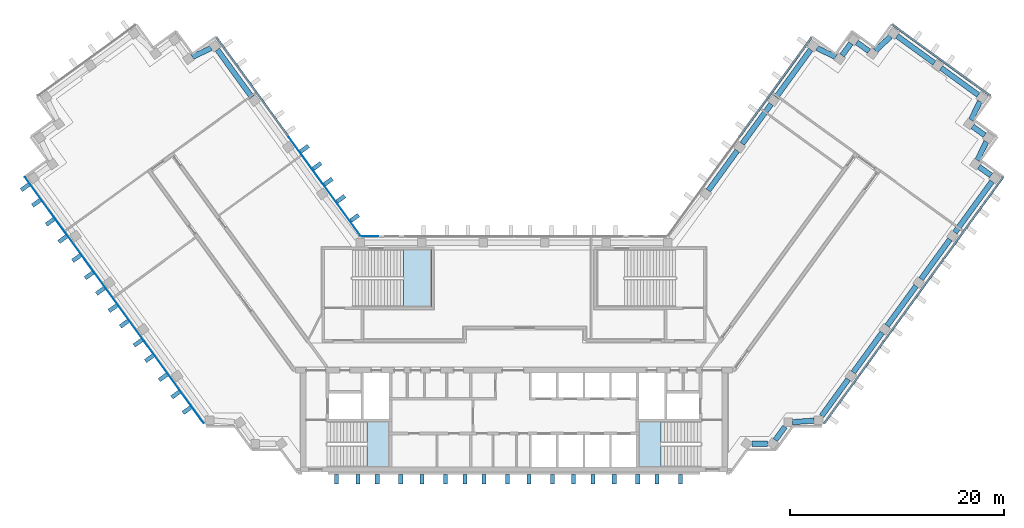
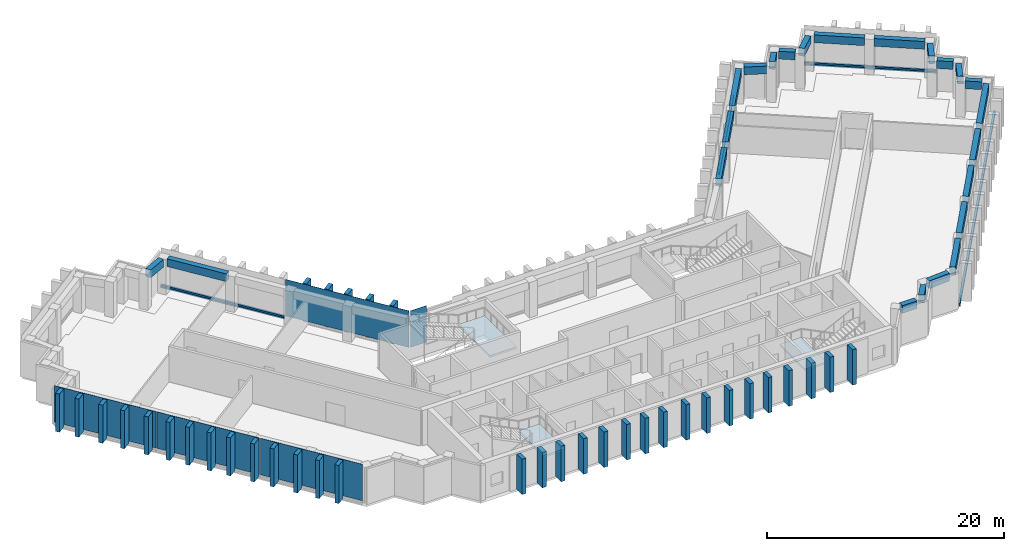
"""IFC4 building model written with IfcOpenShell, lengths in metres."""

from ifc_helpers import new_model, si_unit, direction, frame, origin, origin_2d, place, context, subcontext, project, spatial, polyline, rectangle, outline, extrude, material, layer, layer_set, material_profile, profile_set, type_object, element, aggregate, save


model = new_model("IFC4")

# Units and contexts
model_context = context("Model", 3, precision=1e-05, world=origin(), true_north=direction((0.0, 1.0)))
body_context = subcontext(model_context, "Body", "Model", "MODEL_VIEW")
ifc_project = project(units=[si_unit("LENGTHUNIT", "METRE"), si_unit("AREAUNIT", "SQUARE_METRE"), si_unit("VOLUMEUNIT", "CUBIC_METRE"), si_unit("PLANEANGLEUNIT", "RADIAN"), si_unit("MASSUNIT", "GRAM", prefix="KILO")], contexts=[model_context])

# Site, building, storey
site_placement = place(None, origin())
site = spatial("IfcSite", under=ifc_project, at=site_placement, CompositionType="ELEMENT")
building_placement = place(site_placement, origin())
building = spatial("IfcBuilding", under=site, at=building_placement, Name="Quipu Civic Tower", CompositionType="ELEMENT")
storey_1_placement = place(building_placement, frame((0.0, 0.0, 180.0)))
storey_1 = spatial("IfcBuildingStorey", under=building, at=storey_1_placement, Name="L42", CompositionType="ELEMENT", Elevation=180.0)

# Beams
ifc_material_1 = material(Name="Concrete C50/60", Category="concrete")
ifc_material_profile_1 = material_profile(ifc_material_1, rectangle(XDim=0.5, YDim=0.800048828125, at=origin_2d()), Name="RC500x800")
ifc_profile_set_1 = profile_set([ifc_material_profile_1], Name="Concrete C50/60")
beam_type = type_object("IfcBeamType", Name="Spandrel beam RC 500x800 C50/60", PredefinedType="SPANDREL", material=ifc_profile_set_1)
beam_1_placement = place(storey_1_placement, frame((-24.556396484375, 24.13623046875, 3.25), z_axis=(-0.587664254196, 0.809104890815, 0.0), x_axis=(-0.809104890815, -0.587664254196, 0.0)))
element("IfcBeam", 1, at=beam_1_placement, inside=storey_1, type_object=beam_type, Name="Spandrel beam L42 W-IN-03 to T-Wi.0-W34", PredefinedType="SPANDREL", context=body_context, shape_type="SweptSolid", body=[
    extrude(rectangle(XDim=0.5, YDim=0.800048828125, at=origin_2d()), origin(), (0.0, 0.0, 1.0), 5.493896484375),
])
beam_2_placement = place(storey_1_placement, frame((-28.38720703125, 28.72998046875, 3.25), z_axis=(-0.902584802379, -0.430512107279, 0.0), x_axis=(0.430512107279, -0.902584802379, 0.0)))
element("IfcBeam", 2, at=beam_2_placement, inside=storey_1, type_object=beam_type, Name="Spandrel beam L42 T-Wi.0-W34 to T-Wi.1-W34", PredefinedType="SPANDREL", context=body_context, shape_type="SweptSolid", body=[
    extrude(rectangle(XDim=0.5, YDim=0.800048828125, at=origin_2d()), origin(), (0.0, 0.0, 1.0), 1.9326171875),
])
beam_3_placement = place(storey_1_placement, frame((22.2861328125, -8.31494140625, 3.25), z_axis=(1.0, 0.0, 0.0), x_axis=(0.0, 1.0, 0.0)))
element("IfcBeam", 3, at=beam_3_placement, inside=storey_1, type_object=beam_type, Name="Spandrel beam L42 J-Eo.1 to J-Eo.2", PredefinedType="SPANDREL", context=body_context, shape_type="SweptSolid", body=[
    extrude(rectangle(XDim=0.5, YDim=0.800048828125, at=origin_2d()), origin(), (0.0, 0.0, 1.0), 1.454345703125),
])
beam_4_placement = place(storey_1_placement, frame((24.470458984375, -7.991455078125, 3.25), z_axis=(0.588405601119, 0.808565920981, 0.0), x_axis=(-0.808565920981, 0.588405601119, 0.0)))
element("IfcBeam", 4, at=beam_4_placement, inside=storey_1, type_object=beam_type, Name="Spandrel beam L42 J-Eo.2 to J-Eo.3", PredefinedType="SPANDREL", context=body_context, shape_type="SweptSolid", body=[
    extrude(rectangle(XDim=0.5, YDim=0.800048828125, at=origin_2d()), origin(), (0.0, 0.0, 1.0), 1.55126953125),
])
beam_5_placement = place(storey_1_placement, frame((26.074462890625, -6.307861328125, 3.25), z_axis=(0.997372997143, 0.072436900614, 0.0), x_axis=(-0.072436900614, 0.997372997143, 0.0)))
element("IfcBeam", 5, at=beam_5_placement, inside=storey_1, type_object=beam_type, Name="Spandrel beam L42 J-Eo.3 to J-Eo.4", PredefinedType="SPANDREL", context=body_context, shape_type="SweptSolid", body=[
    extrude(rectangle(XDim=0.5, YDim=0.800048828125, at=origin_2d()), origin(), (0.0, 0.0, 1.0), 2.055908203125),
])
beam_6_placement = place(storey_1_placement, frame((28.815673828125, -5.72998046875, 3.25), z_axis=(0.58776850526, 0.809029161541, 0.0), x_axis=(-0.809029161541, 0.58776850526, 0.0)))
element("IfcBeam", 6, at=beam_6_placement, inside=storey_1, type_object=beam_type, Name="Spandrel beam L42 J-Eo.4 to E-OUT-01", PredefinedType="SPANDREL", context=body_context, shape_type="SweptSolid", body=[
    extrude(rectangle(XDim=0.5, YDim=0.800048828125, at=origin_2d()), origin(), (0.0, 0.0, 1.0), 4.249267578125),
])
beam_7_placement = place(storey_1_placement, frame((31.783447265625, -1.64501953125, 3.25), z_axis=(0.587796098864, 0.809009113768, 0.0), x_axis=(-0.809009113768, 0.587796098864, 0.0)))
element("IfcBeam", 7, at=beam_7_placement, inside=storey_1, type_object=beam_type, Name="Spandrel beam L42 E-OUT-01 to E-OUT-02", PredefinedType="SPANDREL", context=body_context, shape_type="SweptSolid", body=[
    extrude(rectangle(XDim=0.5, YDim=0.800048828125, at=origin_2d()), origin(), (0.0, 0.0, 1.0), 4.60009765625),
])
beam_8_placement = place(storey_1_placement, frame((34.95751953125, 2.7236328125, 3.25), z_axis=(0.58776136044, 0.809034352283, 0.0), x_axis=(-0.809034352283, 0.58776136044, 0.0)))
element("IfcBeam", 8, at=beam_8_placement, inside=storey_1, type_object=beam_type, Name="Spandrel beam L42 E-OUT-02 to E-OUT-03", PredefinedType="SPANDREL", context=body_context, shape_type="SweptSolid", body=[
    extrude(rectangle(XDim=0.5, YDim=0.800048828125, at=origin_2d()), origin(), (0.0, 0.0, 1.0), 4.599853515625),
])
beam_9_placement = place(storey_1_placement, frame((38.13134765625, 7.09228515625, 3.25), z_axis=(0.587770861189, 0.809027449928, 0.0), x_axis=(-0.809027449928, 0.587770861189, 0.0)))
element("IfcBeam", 9, at=beam_9_placement, inside=storey_1, type_object=beam_type, Name="Spandrel beam L42 E-OUT-03 to E-OUT-04", PredefinedType="SPANDREL", context=body_context, shape_type="SweptSolid", body=[
    extrude(rectangle(XDim=0.5, YDim=0.800048828125, at=origin_2d()), origin(), (0.0, 0.0, 1.0), 4.60009765625),
])
beam_10_placement = place(storey_1_placement, frame((41.305419921875, 11.461181640625, 3.25), z_axis=(0.58780026889, 0.809006083965, 0.0), x_axis=(-0.809006083965, 0.58780026889, 0.0)))
element("IfcBeam", 10, at=beam_10_placement, inside=storey_1, type_object=beam_type, Name="Spandrel beam L42 E-OUT-04 to T-Eo.0-E34", PredefinedType="SPANDREL", context=body_context, shape_type="SweptSolid", body=[
    extrude(rectangle(XDim=0.5, YDim=0.800048828125, at=origin_2d()), origin(), (0.0, 0.0, 1.0), 5.902587890625),
])
beam_11_placement = place(storey_1_placement, frame((44.6865234375, 16.79541015625, 3.25), z_axis=(-0.808600329101, 0.588358315805, 0.0), x_axis=(-0.588358315805, -0.808600329101, 0.0)))
element("IfcBeam", 11, at=beam_11_placement, inside=storey_1, type_object=beam_type, Name="Spandrel beam L42 T-Eo.0-E34 to T-Eo.1-E34", PredefinedType="SPANDREL", context=body_context, shape_type="SweptSolid", body=[
    extrude(rectangle(XDim=0.5, YDim=0.800048828125, at=origin_2d()), origin(), (0.0, 0.0, 1.0), 1.400146484375),
])
beam_12_placement = place(storey_1_placement, frame((43.40625, 18.2216796875, 3.25), z_axis=(0.430785642718, 0.902454281406, 0.0), x_axis=(-0.902454281406, 0.430785642718, 0.0)))
element("IfcBeam", 12, at=beam_12_placement, inside=storey_1, type_object=beam_type, Name="Spandrel beam L42 T-Eo.1-E34 to T-Eo.2-E34", PredefinedType="SPANDREL", context=body_context, shape_type="SweptSolid", body=[
    extrude(rectangle(XDim=0.5, YDim=0.800048828125, at=origin_2d()), origin(), (0.0, 0.0, 1.0), 1.934814453125),
])
beam_13_placement = place(storey_1_placement, frame((44.09130859375, 20.56982421875, 3.25), z_axis=(-0.809467380413, 0.587164849125, 0.0), x_axis=(-0.587164849125, -0.809467380413, 0.0)))
element("IfcBeam", 13, at=beam_13_placement, inside=storey_1, type_object=beam_type, Name="Spandrel beam L42 T-Eo.2-E34 to T-Eo.3-E34", PredefinedType="SPANDREL", context=body_context, shape_type="SweptSolid", body=[
    extrude(rectangle(XDim=0.5, YDim=0.800048828125, at=origin_2d()), origin(), (0.0, 0.0, 1.0), 1.399169921875),
])
beam_14_placement = place(storey_1_placement, frame((42.809814453125, 21.99365234375, 3.25), z_axis=(0.429889421342, 0.902881545618, 0.0), x_axis=(-0.902881545618, 0.429889421342, 0.0)))
element("IfcBeam", 14, at=beam_14_placement, inside=storey_1, type_object=beam_type, Name="Spandrel beam L42 T-Eo.3-E34 to T-Eo.4-E34", PredefinedType="SPANDREL", context=body_context, shape_type="SweptSolid", body=[
    extrude(rectangle(XDim=0.5, YDim=0.800048828125, at=origin_2d()), origin(), (0.0, 0.0, 1.0), 1.931396484375),
])
beam_15_placement = place(storey_1_placement, frame((43.491455078125, 24.340087890625, 3.25), z_axis=(-0.808947267178, 0.587881211578, 0.0), x_axis=(-0.587881211578, -0.808947267178, 0.0)))
element("IfcBeam", 15, at=beam_15_placement, inside=storey_1, type_object=beam_type, Name="Spandrel beam L42 T-Eo.4-E34 to TIP-E-01-E34", PredefinedType="SPANDREL", context=body_context, shape_type="SweptSolid", body=[
    extrude(rectangle(XDim=0.5, YDim=0.800048828125, at=origin_2d()), origin(), (0.0, 0.0, 1.0), 4.29833984375),
])
beam_16_placement = place(storey_1_placement, frame((39.3671875, 27.337158203125, 3.25), z_axis=(-0.808983997561, 0.58783066583, 0.0), x_axis=(-0.58783066583, -0.808983997561, 0.0)))
element("IfcBeam", 16, at=beam_16_placement, inside=storey_1, type_object=beam_type, Name="Spandrel beam L42 TIP-E-01-E34 to T-Ei.0-E34", PredefinedType="SPANDREL", context=body_context, shape_type="SweptSolid", body=[
    extrude(rectangle(XDim=0.5, YDim=0.800048828125, at=origin_2d()), origin(), (0.0, 0.0, 1.0), 4.2998046875),
])
beam_17_placement = place(storey_1_placement, frame((35.27001953125, 29.81982421875, 3.25), z_axis=(-0.72519185421, -0.68854685722, 0.0), x_axis=(0.68854685722, -0.72519185421, 0.0)))
element("IfcBeam", 17, at=beam_17_placement, inside=storey_1, type_object=beam_type, Name="Spandrel beam L42 T-Ei.0-E34 to T-Ei.1-E34", PredefinedType="SPANDREL", context=body_context, shape_type="SweptSolid", body=[
    extrude(rectangle(XDim=0.5, YDim=0.800048828125, at=origin_2d()), origin(), (0.0, 0.0, 1.0), 1.93212890625),
])
beam_18_placement = place(storey_1_placement, frame((33.250244140625, 28.4443359375, 3.25), z_axis=(-0.80941533633, 0.587236590578, 0.0), x_axis=(-0.587236590578, -0.80941533633, 0.0)))
element("IfcBeam", 18, at=beam_18_placement, inside=storey_1, type_object=beam_type, Name="Spandrel beam L42 T-Ei.1-E34 to T-Ei.2-E34", PredefinedType="SPANDREL", context=body_context, shape_type="SweptSolid", body=[
    extrude(rectangle(XDim=0.5, YDim=0.800048828125, at=origin_2d()), origin(), (0.0, 0.0, 1.0), 1.397705078125),
])
beam_19_placement = place(storey_1_placement, frame((31.559326171875, 29.1767578125, 3.25), z_axis=(-0.589342949835, -0.80788296645, 0.0), x_axis=(0.80788296645, -0.589342949835, 0.0)))
element("IfcBeam", 19, at=beam_19_placement, inside=storey_1, type_object=beam_type, Name="Spandrel beam L42 T-Ei.2-E34 to T-Ei.3-E34", PredefinedType="SPANDREL", context=body_context, shape_type="SweptSolid", body=[
    extrude(rectangle(XDim=0.5, YDim=0.800048828125, at=origin_2d()), origin(), (0.0, 0.0, 1.0), 1.39990234375),
])
beam_20_placement = place(storey_1_placement, frame((30.131591796875, 27.89794921875, 3.25), z_axis=(-0.902584802379, 0.430512107279, 0.0), x_axis=(-0.430512107279, -0.902584802379, 0.0)))
element("IfcBeam", 20, at=beam_20_placement, inside=storey_1, type_object=beam_type, Name="Spandrel beam L42 T-Ei.3-E34 to T-Ei.4-E34", PredefinedType="SPANDREL", context=body_context, shape_type="SweptSolid", body=[
    extrude(rectangle(XDim=0.5, YDim=0.800048828125, at=origin_2d()), origin(), (0.0, 0.0, 1.0), 1.9326171875),
])
beam_21_placement = place(storey_1_placement, frame((27.784912109375, 28.581298828125, 3.25), z_axis=(-0.587664254196, -0.809104890815, 0.0), x_axis=(0.809104890815, -0.587664254196, 0.0)))
element("IfcBeam", 21, at=beam_21_placement, inside=storey_1, type_object=beam_type, Name="Spandrel beam L42 T-Ei.4-E34 to E-IN-03", PredefinedType="SPANDREL", context=body_context, shape_type="SweptSolid", body=[
    extrude(rectangle(XDim=0.5, YDim=0.800048828125, at=origin_2d()), origin(), (0.0, 0.0, 1.0), 5.493896484375),
])
beam_22_placement = place(storey_1_placement, frame((24.086181640625, 23.489013671875, 3.25), z_axis=(-0.587736122681, -0.809052686848, 0.0), x_axis=(0.809052686848, -0.587736122681, 0.0)))
element("IfcBeam", 22, at=beam_22_placement, inside=storey_1, type_object=beam_type, Name="Spandrel beam L42 E-IN-03 to E-IN-02", PredefinedType="SPANDREL", context=body_context, shape_type="SweptSolid", body=[
    extrude(rectangle(XDim=0.5, YDim=0.800048828125, at=origin_2d()), origin(), (0.0, 0.0, 1.0), 4.60009765625),
])
beam_23_placement = place(storey_1_placement, frame((20.912353515625, 19.1201171875, 3.25), z_axis=(-0.58776136044, -0.809034352283, 0.0), x_axis=(0.809034352283, -0.58776136044, 0.0)))
element("IfcBeam", 23, at=beam_23_placement, inside=storey_1, type_object=beam_type, Name="Spandrel beam L42 E-IN-02 to E-IN-01", PredefinedType="SPANDREL", context=body_context, shape_type="SweptSolid", body=[
    extrude(rectangle(XDim=0.5, YDim=0.800048828125, at=origin_2d()), origin(), (0.0, 0.0, 1.0), 4.599853515625),
])

# Storey
storey_2_placement = place(building_placement, frame((0.0, 0.0, 172.0)))
storey_2 = spatial("IfcBuildingStorey", under=building, at=storey_2_placement, Name="L40", CompositionType="ELEMENT", Elevation=172.0)

# Curtain wall, member
ifc_material_2 = material(Name="Insulated glass unit", Category="glass")
curtain_wall_type = type_object("IfcCurtainWallType", Name="Office curtain wall CW1", PredefinedType="NOTDEFINED", material=ifc_material_2)
curtain_wall_1_placement = place(storey_2_placement, origin())
curtain_wall_1 = element("IfcCurtainWall", 24, at=curtain_wall_1_placement, inside=storey_2, type_object=curtain_wall_type, Name="Office curtain wall CW1 L39 run 1", PredefinedType="NOTDEFINED")
ifc_material_3 = material(Name="Anodised aluminium", Category="aluminium")
ifc_material_profile_2 = material_profile(ifc_material_3, rectangle(XDim=0.199951171875, YDim=0.159912109375, at=origin_2d()), Name="RECT 200x160")
ifc_profile_set_2 = profile_set([ifc_material_profile_2], Name="Anodised aluminium")
member_type = type_object("IfcMemberType", Name="Transom CW1", PredefinedType="USERDEFINED", material=ifc_profile_set_2)
member_1_placement = place(storey_1_placement, frame((-21.140380859375, 20.453857421875, 0.0), z_axis=(-0.587775682251, 0.809023947331, 0.0), x_axis=(-0.809023947331, -0.587775682251, 0.0)))
member_1 = element("IfcMember", 25, at=member_1_placement, inside=storey_1, type_object=member_type, Name="CW1 transom 2.4", ObjectType="TRANSOM", PredefinedType="USERDEFINED", context=body_context, shape_type="SweptSolid", body=[
    extrude(rectangle(XDim=0.199951171875, YDim=0.159912109375, at=origin_2d()), origin(), (0.0, 0.0, 1.0), 11.402099609375),
])
aggregate(curtain_wall_1, [member_1])

# Curtain wall, members
curtain_wall_2_placement = place(storey_2_placement, origin())
curtain_wall_2 = element("IfcCurtainWall", 26, at=curtain_wall_2_placement, inside=storey_2, type_object=curtain_wall_type, Name="Office curtain wall CW1 L39 run 20", PredefinedType="NOTDEFINED")
member_2_placement = place(storey_1_placement, frame((29.052978515625, -6.424072265625, 0.0), z_axis=(0.587783783239, 0.809018061703, 0.0), x_axis=(-0.809018061703, 0.587783783239, 0.0)))
member_2 = element("IfcMember", 27, at=member_2_placement, inside=storey_1, type_object=member_type, Name="CW1 transom 1.4", ObjectType="TRANSOM", PredefinedType="USERDEFINED", context=body_context, shape_type="SweptSolid", body=[
    extrude(rectangle(XDim=0.199951171875, YDim=0.159912109375, at=origin_2d()), origin(), (0.0, 0.0, 1.0), 9.431884765625),
])
member_3_placement = place(storey_1_placement, frame((34.64404296875, 1.271240234375, 0.0), z_axis=(0.587773158676, 0.809025780763, 0.0), x_axis=(-0.809025780763, 0.587773158676, 0.0)))
member_3 = element("IfcMember", 28, at=member_3_placement, inside=storey_1, type_object=member_type, Name="CW1 transom 2.4", ObjectType="TRANSOM", PredefinedType="USERDEFINED", context=body_context, shape_type="SweptSolid", body=[
    extrude(rectangle(XDim=0.199951171875, YDim=0.159912109375, at=origin_2d()), origin(), (0.0, 0.0, 1.0), 9.471923828125),
])
member_4_placement = place(storey_1_placement, frame((40.258544921875, 8.9990234375, 0.0), z_axis=(0.587783783239, 0.809018061703, 0.0), x_axis=(-0.809018061703, 0.587783783239, 0.0)))
member_4 = element("IfcMember", 29, at=member_4_placement, inside=storey_1, type_object=member_type, Name="CW1 transom 3.4", ObjectType="TRANSOM", PredefinedType="USERDEFINED", context=body_context, shape_type="SweptSolid", body=[
    extrude(rectangle(XDim=0.199951171875, YDim=0.159912109375, at=origin_2d()), origin(), (0.0, 0.0, 1.0), 9.431884765625),
])
aggregate(curtain_wall_2, [member_2, member_3, member_4])

# Curtain wall, member
curtain_wall_3_placement = place(storey_2_placement, origin())
curtain_wall_3 = element("IfcCurtainWall", 30, at=curtain_wall_3_placement, inside=storey_2, type_object=curtain_wall_type, Name="Office curtain wall CW1 L39 run 25", PredefinedType="NOTDEFINED")
member_5_placement = place(storey_1_placement, frame((44.590087890625, 24.2841796875, 0.0), z_axis=(-0.809014959561, 0.587788052963, 0.0), x_axis=(-0.587788052963, -0.809014959561, 0.0)))
member_5 = element("IfcMember", 31, at=member_5_placement, inside=storey_1, type_object=member_type, Name="CW1 transom 1.4", ObjectType="TRANSOM", PredefinedType="USERDEFINED", context=body_context, shape_type="SweptSolid", body=[
    extrude(rectangle(XDim=0.199951171875, YDim=0.159912109375, at=origin_2d()), origin(), (0.0, 0.0, 1.0), 11.239990234375),
])
aggregate(curtain_wall_3, [member_5])

curtain_wall_4_placement = place(storey_2_placement, origin())
curtain_wall_4 = element("IfcCurtainWall", 32, at=curtain_wall_4_placement, inside=storey_2, type_object=curtain_wall_type, Name="Office curtain wall CW1 L39 run 30", PredefinedType="NOTDEFINED")
member_6_placement = place(storey_1_placement, frame((27.84228515625, 29.678466796875, 0.0), z_axis=(-0.587775682251, -0.809023947331, 0.0), x_axis=(0.809023947331, -0.587775682251, 0.0)))
member_6 = element("IfcMember", 33, at=member_6_placement, inside=storey_1, type_object=member_type, Name="CW1 transom 1.4", ObjectType="TRANSOM", PredefinedType="USERDEFINED", context=body_context, shape_type="SweptSolid", body=[
    extrude(rectangle(XDim=0.199951171875, YDim=0.159912109375, at=origin_2d()), origin(), (0.0, 0.0, 1.0), 11.402099609375),
])
aggregate(curtain_wall_4, [member_6])

# Storey
storey_3_placement = place(building_placement, frame((0.0, 0.0, 184.0)))
storey_3 = spatial("IfcBuildingStorey", under=building, at=storey_3_placement, Name="L43", CompositionType="ELEMENT", Elevation=184.0)

# Curtain wall, member
curtain_wall_5_placement = place(storey_3_placement, origin())
curtain_wall_5 = element("IfcCurtainWall", 34, at=curtain_wall_5_placement, inside=storey_3, type_object=curtain_wall_type, Name="Office curtain wall CW1 L42 run 1", PredefinedType="NOTDEFINED")
member_7_placement = place(storey_1_placement, frame((-21.140380859375, 20.453857421875, 0.159912109375), z_axis=(-0.587775682251, 0.809023947331, 0.0), x_axis=(-0.809023947331, -0.587775682251, 0.0)))
member_7 = element("IfcMember", 35, at=member_7_placement, inside=storey_1, type_object=member_type, Name="CW1 transom 2.1", ObjectType="TRANSOM", PredefinedType="USERDEFINED", context=body_context, shape_type="SweptSolid", body=[
    extrude(rectangle(XDim=0.199951171875, YDim=0.159912109375, at=origin_2d()), origin(), (0.0, 0.0, 1.0), 11.402099609375),
])

# Curtain wall, members
curtain_wall_6_placement = place(storey_3_placement, origin())
curtain_wall_6 = element("IfcCurtainWall", 36, at=curtain_wall_6_placement, inside=storey_3, type_object=curtain_wall_type, Name="Office curtain wall CW1 L42 run 20", PredefinedType="NOTDEFINED")
member_8_placement = place(storey_1_placement, frame((29.052978515625, -6.424072265625, 0.159912109375), z_axis=(0.587783783239, 0.809018061703, 0.0), x_axis=(-0.809018061703, 0.587783783239, 0.0)))
member_8 = element("IfcMember", 37, at=member_8_placement, inside=storey_1, type_object=member_type, Name="CW1 transom 1.1", ObjectType="TRANSOM", PredefinedType="USERDEFINED", context=body_context, shape_type="SweptSolid", body=[
    extrude(rectangle(XDim=0.199951171875, YDim=0.159912109375, at=origin_2d()), origin(), (0.0, 0.0, 1.0), 9.431884765625),
])
member_9_placement = place(storey_1_placement, frame((34.64404296875, 1.271240234375, 0.159912109375), z_axis=(0.587773158676, 0.809025780763, 0.0), x_axis=(-0.809025780763, 0.587773158676, 0.0)))
member_9 = element("IfcMember", 38, at=member_9_placement, inside=storey_1, type_object=member_type, Name="CW1 transom 2.1", ObjectType="TRANSOM", PredefinedType="USERDEFINED", context=body_context, shape_type="SweptSolid", body=[
    extrude(rectangle(XDim=0.199951171875, YDim=0.159912109375, at=origin_2d()), origin(), (0.0, 0.0, 1.0), 9.471923828125),
])
member_10_placement = place(storey_1_placement, frame((40.258544921875, 8.9990234375, 0.159912109375), z_axis=(0.587783783239, 0.809018061703, 0.0), x_axis=(-0.809018061703, 0.587783783239, 0.0)))
member_10 = element("IfcMember", 39, at=member_10_placement, inside=storey_1, type_object=member_type, Name="CW1 transom 3.1", ObjectType="TRANSOM", PredefinedType="USERDEFINED", context=body_context, shape_type="SweptSolid", body=[
    extrude(rectangle(XDim=0.199951171875, YDim=0.159912109375, at=origin_2d()), origin(), (0.0, 0.0, 1.0), 9.431884765625),
])
aggregate(curtain_wall_6, [member_8, member_9, member_10])

# Curtain wall, member
curtain_wall_7_placement = place(storey_3_placement, origin())
curtain_wall_7 = element("IfcCurtainWall", 40, at=curtain_wall_7_placement, inside=storey_3, type_object=curtain_wall_type, Name="Office curtain wall CW1 L42 run 25", PredefinedType="NOTDEFINED")
member_11_placement = place(storey_1_placement, frame((44.590087890625, 24.2841796875, 0.159912109375), z_axis=(-0.809014959561, 0.587788052963, 0.0), x_axis=(-0.587788052963, -0.809014959561, 0.0)))
member_11 = element("IfcMember", 41, at=member_11_placement, inside=storey_1, type_object=member_type, Name="CW1 transom 1.1", ObjectType="TRANSOM", PredefinedType="USERDEFINED", context=body_context, shape_type="SweptSolid", body=[
    extrude(rectangle(XDim=0.199951171875, YDim=0.159912109375, at=origin_2d()), origin(), (0.0, 0.0, 1.0), 11.239990234375),
])
aggregate(curtain_wall_7, [member_11])

curtain_wall_8_placement = place(storey_3_placement, origin())
curtain_wall_8 = element("IfcCurtainWall", 42, at=curtain_wall_8_placement, inside=storey_3, type_object=curtain_wall_type, Name="Office curtain wall CW1 L42 run 30", PredefinedType="NOTDEFINED")
member_12_placement = place(storey_1_placement, frame((27.84228515625, 29.678466796875, 0.159912109375), z_axis=(-0.587775682251, -0.809023947331, 0.0), x_axis=(0.809023947331, -0.587775682251, 0.0)))
member_12 = element("IfcMember", 43, at=member_12_placement, inside=storey_1, type_object=member_type, Name="CW1 transom 1.1", ObjectType="TRANSOM", PredefinedType="USERDEFINED", context=body_context, shape_type="SweptSolid", body=[
    extrude(rectangle(XDim=0.199951171875, YDim=0.159912109375, at=origin_2d()), origin(), (0.0, 0.0, 1.0), 11.402099609375),
])
aggregate(curtain_wall_8, [member_12])

# Plate
ifc_material_4 = material(Name="Insulated glass unit", Category="glass")
ifc_layer_1 = layer(ifc_material_4, 0.028076171875)
ifc_layer_set_1 = layer_set([ifc_layer_1], Name="Insulated glass unit")
plate_type_1 = type_object("IfcPlateType", Name="Glass panel CW1", PredefinedType="CURTAIN_PANEL", material=ifc_layer_set_1)
plate_1_placement = place(storey_1_placement, frame((-17.7421875, 15.777099609375, 0.240234375), z_axis=(0.0, 0.0, 1.0), x_axis=(-0.587788727052, 0.809014469803, 0.0)))
plate_1 = element("IfcPlate", 44, at=plate_1_placement, inside=storey_1, type_object=plate_type_1, Name="CW1 panel 1.1", PredefinedType="CURTAIN_PANEL", context=body_context, shape_type="SweptSolid", body=[
    extrude(rectangle(XDim=11.402099609375, YDim=0.028076171875, at=origin_2d()), origin(), (0.0, 0.0, 1.0), 3.760009765625),
])

aggregate(curtain_wall_5, [plate_1, member_7])

# Curtain wall, plates
curtain_wall_9_placement = place(storey_3_placement, origin())
curtain_wall_9 = element("IfcCurtainWall", 45, at=curtain_wall_9_placement, inside=storey_3, type_object=curtain_wall_type, Name="Office curtain wall CW1 L42 run 8", PredefinedType="NOTDEFINED")
plate_2_placement = place(storey_1_placement, frame((-43.030517578125, 12.814208984375, 0.240234375), z_axis=(0.0, 0.0, 1.0), x_axis=(0.5877856923, -0.80901667469, 0.0)))
plate_2 = element("IfcPlate", 46, at=plate_2_placement, inside=storey_1, type_object=plate_type_1, Name="CW1 panel 1.1", PredefinedType="CURTAIN_PANEL", context=body_context, shape_type="SweptSolid", body=[
    extrude(rectangle(XDim=9.43212890625, YDim=0.028076171875, at=origin_2d()), origin(), (0.0, 0.0, 1.0), 3.760009765625),
])
plate_3_placement = place(storey_1_placement, frame((-37.427734375, 5.102783203125, 0.240234375), z_axis=(0.0, 0.0, 1.0), x_axis=(0.5877856923, -0.80901667469, 0.0)))
plate_3 = element("IfcPlate", 47, at=plate_3_placement, inside=storey_1, type_object=plate_type_1, Name="CW1 panel 2.1", PredefinedType="CURTAIN_PANEL", context=body_context, shape_type="SweptSolid", body=[
    extrude(rectangle(XDim=9.471923828125, YDim=0.028076171875, at=origin_2d()), origin(), (0.0, 0.0, 1.0), 3.760009765625),
])
plate_4_placement = place(storey_1_placement, frame((-31.824951171875, -2.60888671875, 0.240234375), z_axis=(0.0, 0.0, 1.0), x_axis=(0.5877856923, -0.80901667469, 0.0)))
plate_4 = element("IfcPlate", 48, at=plate_4_placement, inside=storey_1, type_object=plate_type_1, Name="CW1 panel 3.1", PredefinedType="CURTAIN_PANEL", context=body_context, shape_type="SweptSolid", body=[
    extrude(rectangle(XDim=9.43212890625, YDim=0.028076171875, at=origin_2d()), origin(), (0.0, 0.0, 1.0), 3.760009765625),
])
aggregate(curtain_wall_9, [plate_2, plate_3, plate_4])

# Curtain wall, plate
curtain_wall_10_placement = place(storey_3_placement, origin())
curtain_wall_10 = element("IfcCurtainWall", 49, at=curtain_wall_10_placement, inside=storey_3, type_object=curtain_wall_type, Name="Office curtain wall CW1 L42 run 35", PredefinedType="NOTDEFINED")
plate_5_placement = place(storey_1_placement, frame((-13.49951171875, 11.10009765625, 0.240234375), z_axis=(0.0, 0.0, 1.0), x_axis=(-1.0, 0.0, 0.0)))
plate_5 = element("IfcPlate", 50, at=plate_5_placement, inside=storey_1, type_object=plate_type_1, Name="CW1 panel 1.1", PredefinedType="CURTAIN_PANEL", context=body_context, shape_type="SweptSolid", body=[
    extrude(rectangle(XDim=1.529296875, YDim=0.028076171875, at=origin_2d()), origin(), (0.0, 0.0, 1.0), 3.760009765625),
])
aggregate(curtain_wall_10, [plate_5])

# Plates
ifc_material_5 = material(Name="Precast concrete C40/50", Category="concrete")
plate_type_2 = type_object("IfcPlateType", Name="Precast fin F2", PredefinedType="SHEET", material=ifc_material_5)
for number, where, z_axis, x_axis, name in (
    (51, (-14.92138671875, 12.830078125, 0.080078125), (0.0, 0.0, 1.0), (-0.587787133119, 0.809015627871, 0.0), "Precast fin F2 L42.1.1"),
    (52, (-16.214599609375, 14.610107421875, 0.080078125), (0.0, 0.0, 1.0), (-0.587787133119, 0.809015627871, 0.0), "Precast fin F2 L42.1.2"),
    (53, (-17.39013671875, 16.22802734375, 0.080078125), (0.0, 0.0, 1.0), (-0.587787133119, 0.809015627871, 0.0), "Precast fin F2 L42.1.3"),
    (54, (-18.4482421875, 17.684326171875, 0.080078125), (0.0, 0.0, 1.0), (-0.587787133119, 0.809015627871, 0.0), "Precast fin F2 L42.1.4"),
    (55, (-19.623779296875, 19.30224609375, 0.080078125), (0.0, 0.0, 1.0), (-0.587787133119, 0.809015627871, 0.0), "Precast fin F2 L42.1.5"),
    (56, (-45.80078125, 15.69140625, 0.080078125), (0.0, 0.0, 1.0), (0.587785620359, -0.809016726959, 0.0), "Precast fin F2 L42.8.1"),
    (57, (-44.74267578125, 14.2353515625, 0.080078125), (0.0, 0.0, 1.0), (0.587785620359, -0.809016726959, 0.0), "Precast fin F2 L42.8.2"),
    (58, (-43.449462890625, 12.455322265625, 0.080078125), (0.0, 0.0, 1.0), (0.587785620359, -0.809016726959, 0.0), "Precast fin F2 L42.8.3"),
    (59, (-42.27392578125, 10.83740234375, 0.080078125), (0.0, 0.0, 1.0), (0.587785620359, -0.809016726959, 0.0), "Precast fin F2 L42.8.4"),
    (60, (-40.98095703125, 9.0576171875, 0.080078125), (0.0, 0.0, 1.0), (0.587785620359, -0.809016726959, 0.0), "Precast fin F2 L42.8.5"),
    (61, (-39.80517578125, 7.439453125, 0.080078125), (0.0, 0.0, 1.0), (0.587785620359, -0.809016726959, 0.0), "Precast fin F2 L42.8.6"),
    (62, (-38.747314453125, 5.983154296875, 0.080078125), (0.0, 0.0, 1.0), (0.587785620359, -0.809016726959, 0.0), "Precast fin F2 L42.8.7"),
    (63, (-37.57177734375, 4.365234375, 0.080078125), (0.0, 0.0, 1.0), (0.587785620359, -0.809016726959, 0.0), "Precast fin F2 L42.8.8"),
    (64, (-36.513671875, 2.908935546875, 0.080078125), (0.0, 0.0, 1.0), (0.587785620359, -0.809016726959, 0.0), "Precast fin F2 L42.8.9"),
    (65, (-35.220458984375, 1.129150390625, 0.080078125), (0.0, 0.0, 1.0), (0.587785620359, -0.809016726959, 0.0), "Precast fin F2 L42.8.10"),
    (66, (-34.16259765625, -0.3271484375, 0.080078125), (0.0, 0.0, 1.0), (0.587785620359, -0.809016726959, 0.0), "Precast fin F2 L42.8.11"),
    (67, (-32.869384765625, -2.10693359375, 0.080078125), (0.0, 0.0, 1.0), (0.587785620359, -0.809016726959, 0.0), "Precast fin F2 L42.8.12"),
    (68, (-31.69384765625, -3.724853515625, 0.080078125), (0.0, 0.0, 1.0), (0.587785620359, -0.809016726959, 0.0), "Precast fin F2 L42.8.13"),
    (69, (-30.6357421875, -5.18115234375, 0.080078125), (0.0, 0.0, 1.0), (0.587785620359, -0.809016726959, 0.0), "Precast fin F2 L42.8.14"),
):
    element("IfcPlate", number, at=place(storey_1_placement, frame(where, z_axis=z_axis, x_axis=x_axis)), inside=storey_1, type_object=plate_type_2, Name=name, PredefinedType="SHEET", context=body_context, shape_type="SweptSolid", body=[
        extrude(rectangle(XDim=0.3798828125, YDim=0.89990234375, at=origin_2d()), origin(), (0.0, 0.0, 1.0), 3.919921875),
    ])
for number, where, z_axis, x_axis, name in (
    (70, (-16.610107421875, -11.637939453125, 0.0), (0.0, 0.0, 1.0), (1.0, 0.0, 0.0), "Precast fin F2 L42.14.1"),
    (71, (-14.610107421875, -11.637939453125, 0.0), (0.0, 0.0, 1.0), (1.0, 0.0, 0.0), "Precast fin F2 L42.14.2"),
    (72, (-12.81005859375, -11.637939453125, 0.0), (0.0, 0.0, 1.0), (1.0, 0.0, 0.0), "Precast fin F2 L42.14.3"),
    (73, (-10.610107421875, -11.637939453125, 0.0), (0.0, 0.0, 1.0), (1.0, 0.0, 0.0), "Precast fin F2 L42.14.4"),
    (74, (-8.610107421875, -11.637939453125, 0.0), (0.0, 0.0, 1.0), (1.0, 0.0, 0.0), "Precast fin F2 L42.14.5"),
    (75, (-6.409912109375, -11.637939453125, 0.0), (0.0, 0.0, 1.0), (1.0, 0.0, 0.0), "Precast fin F2 L42.14.6"),
    (76, (-4.610107421875, -11.637939453125, 0.0), (0.0, 0.0, 1.0), (1.0, 0.0, 0.0), "Precast fin F2 L42.14.7"),
    (77, (-2.81005859375, -11.637939453125, 0.0), (0.0, 0.0, 1.0), (1.0, 0.0, 0.0), "Precast fin F2 L42.14.8"),
    (78, (-0.610107421875, -11.637939453125, 0.0), (0.0, 0.0, 1.0), (1.0, 0.0, 0.0), "Precast fin F2 L42.14.9"),
    (79, (1.389892578125, -11.637939453125, 0.0), (0.0, 0.0, 1.0), (1.0, 0.0, 0.0), "Precast fin F2 L42.14.10"),
    (80, (3.590087890625, -11.637939453125, 0.0), (0.0, 0.0, 1.0), (1.0, 0.0, 0.0), "Precast fin F2 L42.14.11"),
    (81, (5.590087890625, -11.637939453125, 0.0), (0.0, 0.0, 1.0), (1.0, 0.0, 0.0), "Precast fin F2 L42.14.12"),
    (82, (7.389892578125, -11.637939453125, 0.0), (0.0, 0.0, 1.0), (1.0, 0.0, 0.0), "Precast fin F2 L42.14.13"),
    (83, (9.389892578125, -11.637939453125, 0.0), (0.0, 0.0, 1.0), (1.0, 0.0, 0.0), "Precast fin F2 L42.14.14"),
    (84, (11.590087890625, -11.637939453125, 0.0), (0.0, 0.0, 1.0), (1.0, 0.0, 0.0), "Precast fin F2 L42.14.15"),
    (85, (13.389892578125, -11.637939453125, 0.0), (0.0, 0.0, 1.0), (1.0, 0.0, 0.0), "Precast fin F2 L42.14.16"),
    (86, (15.590087890625, -11.637939453125, 0.0), (0.0, 0.0, 1.0), (1.0, 0.0, 0.0), "Precast fin F2 L42.14.17"),
):
    element("IfcPlate", number, at=place(storey_1_placement, frame(where, z_axis=z_axis, x_axis=x_axis)), inside=storey_1, type_object=plate_type_2, Name=name, PredefinedType="SHEET", context=body_context, shape_type="SweptSolid", body=[
        extrude(rectangle(XDim=0.3798828125, YDim=0.89990234375, at=origin_2d()), origin(), (0.0, 0.0, 1.0), 3.64990234375),
    ])

# Stair, slab
ifc_material_6 = material(Name="Concrete C40/50", Category="concrete")
stair_type_1 = type_object("IfcStairType", Name="Half turn stair 2000", PredefinedType="HALF_TURN_STAIR", material=ifc_material_6)
stair_1_placement = place(storey_1_placement, origin())
stair_1 = element("IfcStair", 87, at=stair_1_placement, inside=storey_1, type_object=stair_type_1, Name="Exit stair 1", PredefinedType="HALF_TURN_STAIR")
ifc_material_7 = material(Name="Concrete C40/50", Category="concrete")
ifc_layer_2 = layer(ifc_material_7, 0.199951171875)
ifc_layer_set_2 = layer_set([ifc_layer_2], Name="Concrete C40/50")
slab_type = type_object("IfcSlabType", Name="Stair landing 200", PredefinedType="LANDING", material=ifc_layer_set_2)
slab_1_placement = place(storey_1_placement, frame((0.0, 0.0, 1.800048828125)))
slab_1 = element("IfcSlab", 88, at=slab_1_placement, type_object=slab_type, Name="ST-1 landing 1", PredefinedType="LANDING", context=body_context, shape_type="SweptSolid", body=[
    extrude(outline(polyline([(-13.780029296875, -10.5), (-11.699951171875, -10.5), (-11.699951171875, -6.25), (-13.780029296875, -6.25), (-13.780029296875, -10.5)])), origin(), (0.0, 0.0, 1.0), 0.199951171875),
])
aggregate(stair_1, [slab_1])

stair_2_placement = place(storey_1_placement, origin())
stair_2 = element("IfcStair", 89, at=stair_2_placement, inside=storey_1, type_object=stair_type_1, Name="Exit stair 2", PredefinedType="HALF_TURN_STAIR")
slab_2_placement = place(storey_1_placement, frame((0.0, 0.0, 1.800048828125)))
slab_2 = element("IfcSlab", 90, at=slab_2_placement, type_object=slab_type, Name="ST-2 landing 1", PredefinedType="LANDING", context=body_context, shape_type="SweptSolid", body=[
    extrude(outline(polyline([(13.780029296875, -6.25), (11.699951171875, -6.25), (11.699951171875, -10.5), (13.780029296875, -10.5), (13.780029296875, -6.25)])), origin(), (0.0, 0.0, 1.0), 0.199951171875),
])
aggregate(stair_2, [slab_2])

ifc_material_8 = material(Name="Concrete C40/50", Category="concrete")
stair_type_2 = type_object("IfcStairType", Name="Half turn stair 2600", PredefinedType="HALF_TURN_STAIR", material=ifc_material_8)
stair_3_placement = place(storey_1_placement, origin())
stair_3 = element("IfcStair", 91, at=stair_3_placement, inside=storey_1, type_object=stair_type_2, Name="Exit stair 3", PredefinedType="HALF_TURN_STAIR")
slab_3_placement = place(storey_1_placement, frame((0.0, 0.0, 1.800048828125)))
slab_3 = element("IfcSlab", 92, at=slab_3_placement, type_object=slab_type, Name="ST-3 landing 1", PredefinedType="LANDING", context=body_context, shape_type="SweptSolid", body=[
    extrude(outline(polyline([(-10.35009765625, 4.5), (-7.75, 4.5), (-7.75, 9.85009765625), (-10.35009765625, 9.85009765625), (-10.35009765625, 4.5)])), origin(), (0.0, 0.0, 1.0), 0.199951171875),
])
aggregate(stair_3, [slab_3])

save(model, "model.ifc")
